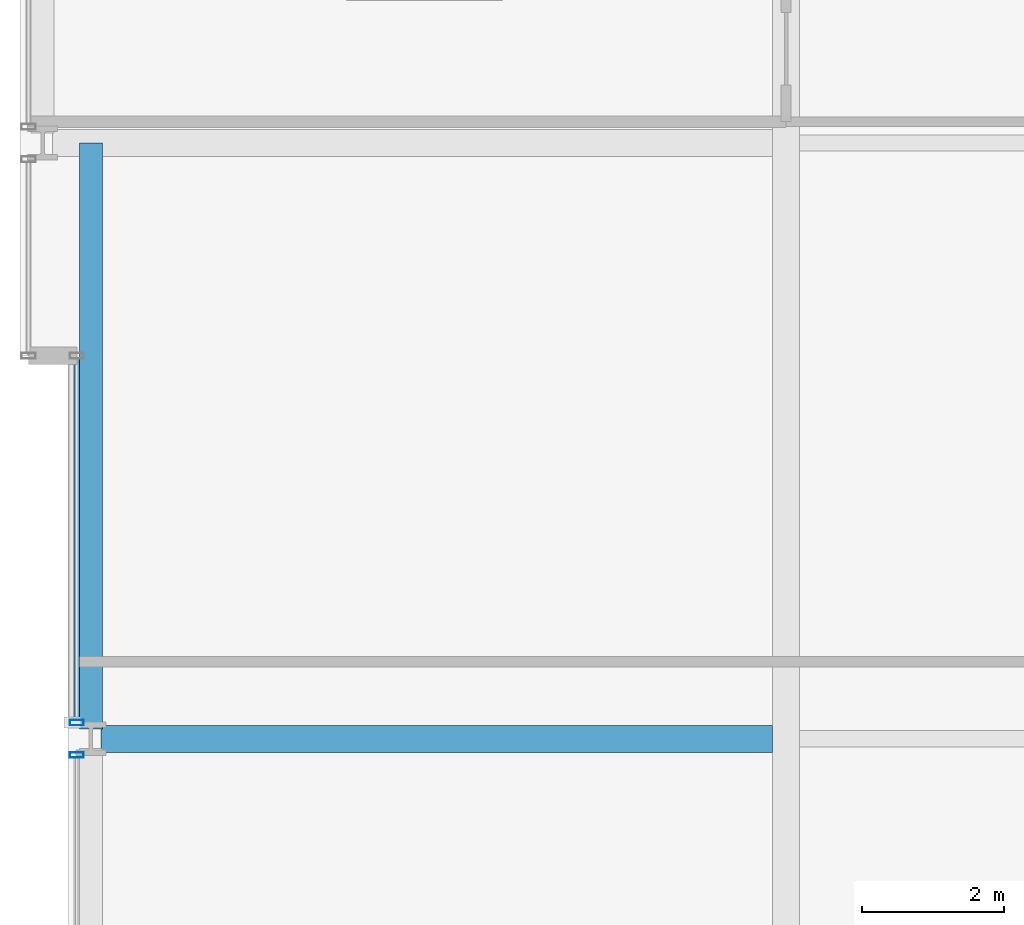
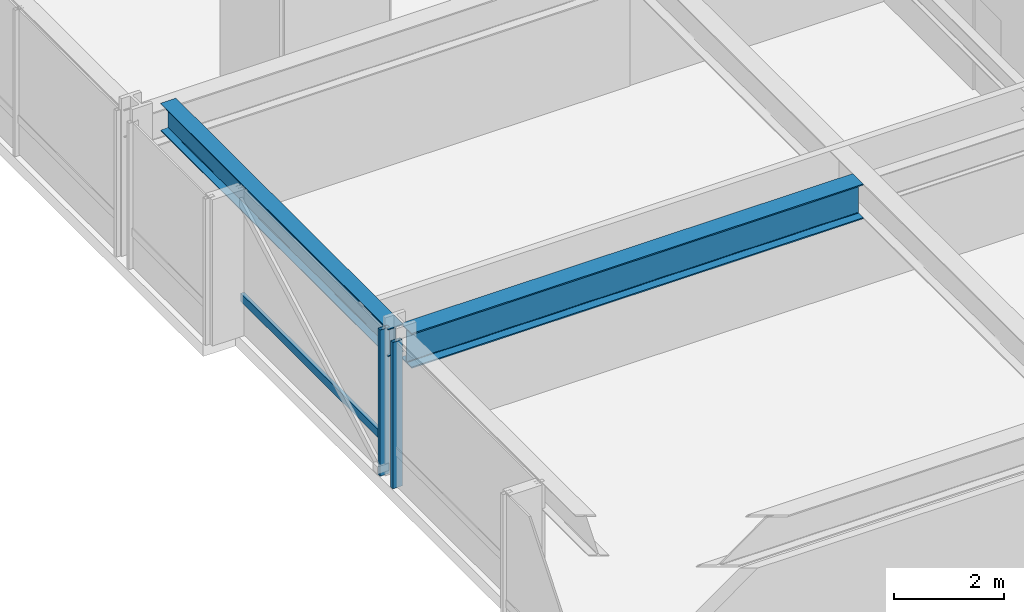
# One storey, part 9 of 38: 3 members, 2 beams, 2 elements without a shape of their own.
"""IFC4 building model written with IfcOpenShell, lengths in metres."""

import ifcopenshell
import ifcopenshell.guid

model = None  # the IFC model being written
_history = None  # IfcOwnerHistory: only IFC2X3 demands one
_inside = {}  # id of a spatial element -> (the spatial element, [elements in it])
_under = {}  # id of a project, library or spatial element -> (it, [spatial elements below it])
_declared = {}  # id of a project -> (the project, [libraries it declares])
_typed = {}  # id of a type object -> (the type object, [elements of that type])
_made_of = {}  # id of a material, layer set ... -> (it, [elements and type objects made of it])


def new_model(schema):
    """Start an empty IFC model of exactly this schema.

    Asked for "IFC4X3", IfcOpenShell would pick the latest addendum, in which some entities
    have other attributes; the version numbers below select the first issue.
    IFC2X3 requires an IfcOwnerHistory on every rooted entity: one is made here for all.
    """
    global model, _history
    if schema == "IFC4X3":
        model = ifcopenshell.file(schema_version=(4, 3, 0, 0))
    else:
        model = ifcopenshell.file(schema=schema)
    _inside.clear()
    _under.clear()
    _declared.clear()
    _typed.clear()
    _made_of.clear()
    _history = None
    if model.schema == "IFC2X3":
        org = make("IfcOrganization", Name="unknown")
        user = make(
            "IfcPersonAndOrganization",
            ThePerson=make("IfcPerson", FamilyName="unknown"),
            TheOrganization=org,
        )
        app = make(
            "IfcApplication",
            ApplicationDeveloper=org,
            Version="unknown",
            ApplicationFullName="unknown",
            ApplicationIdentifier="unknown",
        )
        _history = make(
            "IfcOwnerHistory",
            OwningUser=user,
            OwningApplication=app,
            ChangeAction="ADDED",
            CreationDate=0,
        )
    return model


def make(cls, **values):
    """One entity of the class cls with the attributes given. An attribute that is None is left unset."""
    return model.create_entity(
        cls, **{name: value for name, value in values.items() if value is not None}
    )


def rooted(cls, **values):
    """An entity with a GlobalId (a new one), such as an element, a storey or a relation."""
    return make(cls, GlobalId=ifcopenshell.guid.new(), OwnerHistory=_history, **values)


def si_unit(unit_type, name, prefix=None):
    """IfcSIUnit, for example si_unit("LENGTHUNIT", "METRE", prefix="MILLI")."""
    return make("IfcSIUnit", UnitType=unit_type, Prefix=prefix, Name=name)


def assignment(units):
    """IfcUnitAssignment: the units of a project."""
    return None if units is None else make("IfcUnitAssignment", Units=units)


def point(xyz):
    """IfcCartesianPoint."""
    return None if xyz is None else make("IfcCartesianPoint", Coordinates=xyz)


def direction(xyz):
    """IfcDirection."""
    return None if xyz is None else make("IfcDirection", DirectionRatios=xyz)


def frame(location, z_axis=None, x_axis=None):
    """IfcAxis2Placement3D, a coordinate frame: its origin and axes. An axis left out is left unset."""
    return make(
        "IfcAxis2Placement3D",
        Location=point(location),
        Axis=direction(z_axis),
        RefDirection=direction(x_axis),
    )


def frame_2d(location, x_axis=None):
    """IfcAxis2Placement2D, a coordinate frame in the plane: its origin and x axis."""
    return make(
        "IfcAxis2Placement2D", Location=point(location), RefDirection=direction(x_axis)
    )


def origin():
    """The frame at (0, 0, 0) with its axes left unset."""
    return frame((0.0, 0.0, 0.0))


def origin_2d():
    """The frame at (0, 0) in the plane with its x axis left unset."""
    return frame_2d((0.0, 0.0))


def place(relative_to, where):
    """IfcLocalPlacement: puts the frame where relative to a parent placement (None: the world)."""
    return make(
        "IfcLocalPlacement", PlacementRelTo=relative_to, RelativePlacement=where
    )


def context(
    kind, dimensions, precision=None, world=None, true_north=None, identifier=None
):
    """IfcGeometricRepresentationContext, for example the 3D "Model" context."""
    return make(
        "IfcGeometricRepresentationContext",
        ContextIdentifier=identifier,
        ContextType=kind,
        CoordinateSpaceDimension=dimensions,
        Precision=precision,
        WorldCoordinateSystem=world,
        TrueNorth=true_north,
    )


def subcontext(parent, identifier, kind, view, scale=None):
    """IfcGeometricRepresentationSubContext, for example "Body" below "Model"."""
    return make(
        "IfcGeometricRepresentationSubContext",
        ContextIdentifier=identifier,
        ContextType=kind,
        ParentContext=parent,
        TargetScale=scale,
        TargetView=view,
    )


def project(units=None, contexts=None):
    """IfcProject with its units and contexts."""
    return rooted(
        "IfcProject",
        Name="project",
        RepresentationContexts=contexts,
        UnitsInContext=assignment(units),
    )


def spatial(cls, under=None, at=None, **own):
    """A site, building, storey or space (cls), placed at a placement, below another one or the project."""
    s = rooted(cls, ObjectPlacement=at, **own)
    if under is not None:
        _under.setdefault(under.id(), (under, []))[1].append(s)
    return s


def profile(cls, at=None, kind="AREA", **sizes):
    """A parametric profile (cls). Its sizes go by their IFC names, for example OverallWidth=200.0."""
    return make(cls, ProfileType=kind, Position=at, **sizes)


def hollow_rectangle(**sizes):
    """IfcRectangleHollowProfileDef."""
    return profile("IfcRectangleHollowProfileDef", **sizes)


def i_section(**sizes):
    """IfcIShapeProfileDef."""
    return profile("IfcIShapeProfileDef", **sizes)


def extrude(swept, where, along, depth):
    """IfcExtrudedAreaSolid: the profile swept, set in the frame where, extruded along a direction by depth."""
    return make(
        "IfcExtrudedAreaSolid",
        SweptArea=swept,
        Position=where,
        ExtrudedDirection=direction(along),
        Depth=depth,
    )


def shape(context_of_items, identifier, shape_type, items):
    """IfcShapeRepresentation: the items that make up one representation, for example the "Body"."""
    return make(
        "IfcShapeRepresentation",
        ContextOfItems=context_of_items,
        RepresentationIdentifier=identifier,
        RepresentationType=shape_type,
        Items=items,
    )


def material(Name=None, Category=None):
    """IfcMaterial."""
    return make("IfcMaterial", Name=Name, Category=Category)


def layer(
    of_material, thickness, ventilated=None, Name=None, Category=None, Priority=None
):
    """IfcMaterialLayer: one layer of a wall or slab, of a material (None: an air gap)."""
    return make(
        "IfcMaterialLayer",
        Material=of_material,
        LayerThickness=thickness,
        IsVentilated=ventilated,
        Name=Name,
        Category=Category,
        Priority=Priority,
    )


def layer_set(layers, Name=None):
    """IfcMaterialLayerSet."""
    return make("IfcMaterialLayerSet", MaterialLayers=layers, LayerSetName=Name)


def material_profile(
    of_material, cross_section, Name=None, Category=None, Priority=None
):
    """IfcMaterialProfile: a cross section and its material."""
    return make(
        "IfcMaterialProfile",
        Name=Name,
        Material=of_material,
        Profile=cross_section,
        Priority=Priority,
        Category=Category,
    )


def profile_set(profiles, Name=None, composite=None):
    """IfcMaterialProfileSet."""
    return make(
        "IfcMaterialProfileSet",
        Name=Name,
        MaterialProfiles=profiles,
        CompositeProfile=composite,
    )


def made_of(thing, what):
    """Note that an element or type object is made of a material, layer set ...; save() writes the relation."""
    if what is not None:
        _made_of.setdefault(what.id(), (what, []))[1].append(thing)
    return thing


def type_object(cls, material=None, **own):
    """A type object (cls), such as IfcWallType, which elements share."""
    return made_of(rooted(cls, **own), material)


def element(
    cls,
    number,
    at=None,
    inside=None,
    cuts=None,
    type_object=None,
    material=None,
    context=None,
    identifier="Body",
    shape_type=None,
    held_by="IfcProductDefinitionShape",
    body=None,
    shapes=None,
    **own,
):
    """One element of the class cls, such as IfcWall. Its Tag is "e" and its number.

    at: its placement. inside: the storey or other place that contains it. cuts: it is an
    opening in that element (IfcRelVoidsElement). A single representation is given by context,
    identifier, shape_type and body (its items); several are given by shapes. held_by: the class
    of the entity that holds the representations. save() writes the other relations.
    """
    e = rooted(cls, Tag="e%d" % number, ObjectPlacement=at, **own)
    if body is not None:
        shapes = [shape(context, identifier, shape_type, body)]
    if shapes is not None:
        e.Representation = make(held_by, Representations=shapes)
    if inside is not None:
        _inside.setdefault(inside.id(), (inside, []))[1].append(e)
    if cuts is not None:
        rooted(
            "IfcRelVoidsElement", RelatingBuildingElement=cuts, RelatedOpeningElement=e
        )
    if type_object is not None:
        _typed.setdefault(type_object.id(), (type_object, []))[1].append(e)
    return made_of(e, material)


def aggregate(whole, parts):
    """IfcRelAggregates: a whole, such as a stair, and the parts it consists of."""
    return rooted("IfcRelAggregates", RelatingObject=whole, RelatedObjects=parts)


def save(model, path):
    """Write the relations noted so far, then the file.

    IfcRelAggregates (storeys below a building ...), IfcRelContainedInSpatialStructure (elements
    in a storey), IfcRelDefinesByType, IfcRelAssociatesMaterial and IfcRelDeclares: one each for
    every whole, place, type object, material and project.
    """
    for whole, parts in _under.values():
        aggregate(whole, parts)
    for where, things in _inside.values():
        rooted(
            "IfcRelContainedInSpatialStructure",
            RelatedElements=things,
            RelatingStructure=where,
        )
    for kind, things in _typed.values():
        rooted("IfcRelDefinesByType", RelatedObjects=things, RelatingType=kind)
    for what, things in _made_of.values():
        rooted("IfcRelAssociatesMaterial", RelatedObjects=things, RelatingMaterial=what)
    for by, libraries in _declared.values():
        rooted("IfcRelDeclares", RelatingContext=by, RelatedDefinitions=libraries)
    model.write(path)


model = new_model("IFC4")

# Units and contexts
model_context = context("Model", 3, precision=1e-05, world=origin(), true_north=direction((0.0, 1.0)))
body_context = subcontext(model_context, "Body", "Model", "MODEL_VIEW")
ifc_project = project(units=[si_unit("LENGTHUNIT", "METRE"), si_unit("AREAUNIT", "SQUARE_METRE"), si_unit("VOLUMEUNIT", "CUBIC_METRE"), si_unit("PLANEANGLEUNIT", "RADIAN"), si_unit("MASSUNIT", "GRAM", prefix="KILO")], contexts=[model_context])

# Site, building, storey
site_placement = place(None, origin())
site = spatial("IfcSite", under=ifc_project, at=site_placement, CompositionType="ELEMENT")
building_placement = place(site_placement, origin())
building = spatial("IfcBuilding", under=site, at=building_placement, Name="Drelvath Grand Hotel", CompositionType="ELEMENT")
storey_placement = place(building_placement, frame((0.0, 0.0, 71.699951171875)))
storey = spatial("IfcBuildingStorey", under=building, at=storey_placement, Name="L17", CompositionType="ELEMENT", Elevation=71.699951171875)

# Curtain wall, member
ifc_material_1 = material(Name="Warm Bronze Anodised Aluminium Frame", Category="aluminium")
ifc_layer = layer(ifc_material_1, 0.199951171875)
ifc_layer_set = layer_set([ifc_layer], Name="Warm Bronze Anodised Aluminium Frame")
curtain_wall_type = type_object("IfcCurtainWallType", Name="Stick Curtain Wall CW-02 Warm Bronze Low-Rise", PredefinedType="NOTDEFINED", material=ifc_layer_set)
curtain_wall_1_placement = place(storey_placement, origin())
curtain_wall_1 = element("IfcCurtainWall", 1, at=curtain_wall_1_placement, inside=storey, type_object=curtain_wall_type, Name="L17 CW-02 Curtain Wall CW02-L17-WM2", PredefinedType="NOTDEFINED")
ifc_material_profile_1 = material_profile(ifc_material_1, hollow_rectangle(XDim=0.074951171875, YDim=0.179931640625, WallThickness=0.0048828125, at=origin_2d()), Name="HSS180X75X5")
ifc_profile_set_1 = profile_set([ifc_material_profile_1], Name="Warm Bronze Anodised Aluminium Frame")
member_type_1 = type_object("IfcMemberType", Name="Curtain Wall Horizontal Transom CW-02 HSS180X75X5", PredefinedType="USERDEFINED", material=ifc_profile_set_1)
member_1_placement = place(storey_placement, frame((-26.199951171875, 27.26904296875, 0.81005859375), z_axis=(0.0, 1.0, 0.0), x_axis=(-1.0, 0.0, 0.0)))
member_1 = element("IfcMember", 2, at=member_1_placement, type_object=member_type_1, Name="CW02-L17-WM2 Sill Transom", ObjectType="TRANSOM", PredefinedType="USERDEFINED", context=body_context, shape_type="SweptSolid", body=[
    extrude(hollow_rectangle(XDim=0.074951171875, YDim=0.179931640625, WallThickness=0.0048828125, at=origin_2d()), origin(), (0.0, 0.0, 1.0), 5.091064453125),
])

curtain_wall_2_placement = place(storey_placement, origin())
curtain_wall_2 = element("IfcCurtainWall", 3, at=curtain_wall_2_placement, inside=storey, type_object=curtain_wall_type, Name="L17 CW-02 Curtain Wall CW02-L17-WM1", PredefinedType="NOTDEFINED")
ifc_material_profile_2 = material_profile(ifc_material_1, hollow_rectangle(XDim=0.080078125, YDim=0.199951171875, WallThickness=0.0048828125, at=origin_2d()), Name="HSS200X80X5")
ifc_profile_set_2 = profile_set([ifc_material_profile_2], Name="Warm Bronze Anodised Aluminium Frame")
member_type_2 = type_object("IfcMemberType", Name="Curtain Wall Vertical Mullion CW-02 HSS200X80X5", PredefinedType="MULLION", material=ifc_profile_set_2)
member_2_placement = place(storey_placement, frame((-26.199951171875, 26.77099609375, 0.0), z_axis=(0.0, 0.0, 1.0), x_axis=(0.0, 1.0, 0.0)))
member_2 = element("IfcMember", 4, at=member_2_placement, type_object=member_type_2, Name="CW02-L17-WM1 Mullion 2", PredefinedType="MULLION", context=body_context, shape_type="SweptSolid", body=[
    extrude(hollow_rectangle(XDim=0.080078125, YDim=0.199951171875, WallThickness=0.0048828125, at=origin_2d()), origin(), (0.0, 0.0, 1.0), 3.239990234375),
])
aggregate(curtain_wall_2, [member_2])

# Member
member_3_placement = place(storey_placement, frame((-26.199951171875, 27.22900390625, 0.0), z_axis=(0.0, 0.0, 1.0), x_axis=(0.0, 1.0, 0.0)))
member_3 = element("IfcMember", 5, at=member_3_placement, type_object=member_type_2, Name="CW02-L17-WM2 Mullion 1", PredefinedType="MULLION", context=body_context, shape_type="SweptSolid", body=[
    extrude(hollow_rectangle(XDim=0.080078125, YDim=0.199951171875, WallThickness=0.0048828125, at=origin_2d()), origin(), (0.0, 0.0, 1.0), 3.239990234375),
])

aggregate(curtain_wall_1, [member_3, member_1])

# Beams
ifc_material_2 = material(Name="Steel ASTM A992 Gr 50", Category="steel")
ifc_material_profile_3 = material_profile(ifc_material_2, i_section(OverallWidth=0.323974609375, OverallDepth=0.611083984375, WebThickness=0.0126953125, FlangeThickness=0.01904296875, FilletRadius=0.02197265625, at=origin_2d()), Name="W24X104")
ifc_profile_set_3 = profile_set([ifc_material_profile_3], Name="Steel ASTM A992 Gr 50")
beam_type_1 = type_object("IfcBeamType", Name="Perimeter Spandrel Beam W24X104", PredefinedType="SPANDREL", material=ifc_profile_set_3)
beam_1_placement = place(storey_placement, frame((-26.0, 27.139892578125, 2.9345703125), z_axis=(0.0, 1.0, 0.0), x_axis=(-1.0, 0.0, 0.0)))
element("IfcBeam", 6, at=beam_1_placement, inside=storey, type_object=beam_type_1, Name="L17 Spandrel West Mid N", PredefinedType="SPANDREL", context=body_context, shape_type="SweptSolid", body=[
    extrude(i_section(OverallWidth=0.323974609375, OverallDepth=0.611083984375, WebThickness=0.0126953125, FlangeThickness=0.01904296875, FilletRadius=0.02197265625, at=origin_2d()), origin(), (0.0, 0.0, 1.0), 8.260009765625),
])
ifc_material_profile_4 = material_profile(ifc_material_2, i_section(OverallWidth=0.380615234375, OverallDepth=0.773193359375, WebThickness=0.0166015625, FlangeThickness=0.027099609375, FilletRadius=0.02490234375, at=origin_2d()), Name="W30X173")
ifc_profile_set_4 = profile_set([ifc_material_profile_4], Name="Steel ASTM A992 Gr 50")
beam_type_2 = type_object("IfcBeamType", Name="Primary Floor Girder W30X173", PredefinedType="BEAM", material=ifc_profile_set_4)
beam_2_placement = place(storey_placement, frame((-25.860107421875, 27.0, 2.853515625), z_axis=(1.0, 0.0, 0.0), x_axis=(0.0, 1.0, 0.0)))
element("IfcBeam", 7, at=beam_2_placement, inside=storey, type_object=beam_type_2, Name="L17 West Wing Girder E", PredefinedType="BEAM", context=body_context, shape_type="SweptSolid", body=[
    extrude(i_section(OverallWidth=0.380615234375, OverallDepth=0.773193359375, WebThickness=0.0166015625, FlangeThickness=0.027099609375, FilletRadius=0.02490234375, at=origin_2d()), origin(), (0.0, 0.0, 1.0), 9.4697265625),
])

save(model, "model.ifc")
